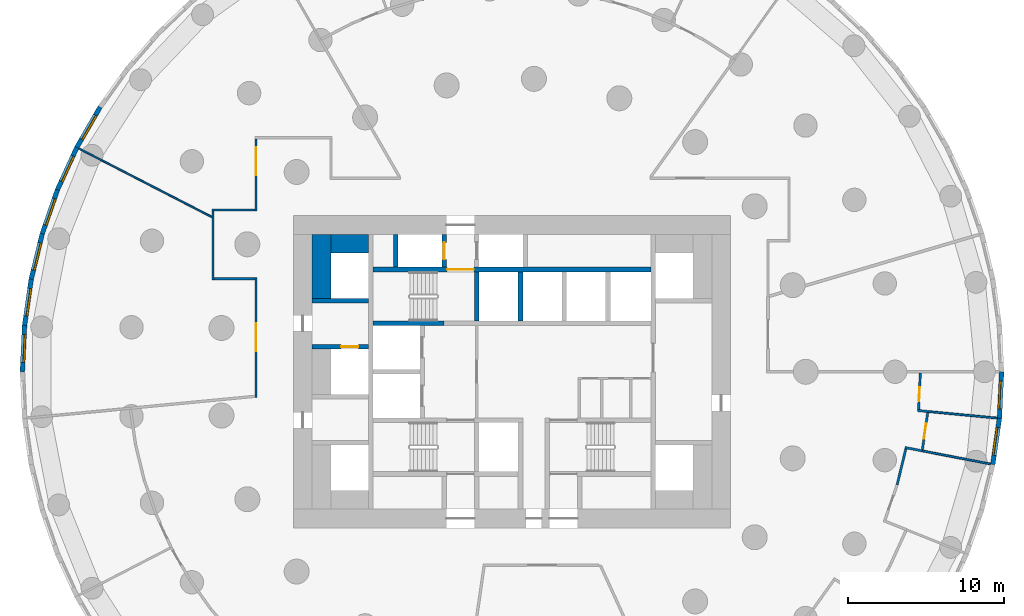
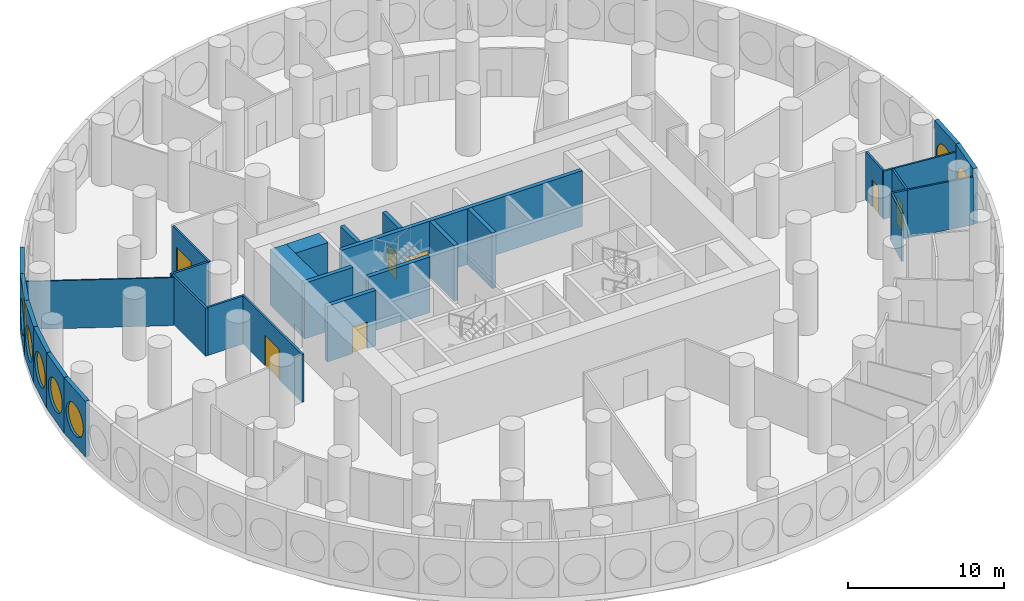
# One storey, part 6 of 11: 31 walls, 8 windows, 7 doors, 15 openings.
"""IFC4 building model written with IfcOpenShell, lengths in metres."""

from ifc_helpers import new_model, si_unit, direction, frame, frame_2d, origin, origin_2d, place, context, subcontext, project, spatial, rectangle, circle, extrude, material, layer, layer_set, type_object, element, fill, save


model = new_model("IFC4")

# Units and contexts
model_context = context("Model", 3, precision=1e-05, world=origin(), true_north=direction((0.0, 1.0)))
body_context = subcontext(model_context, "Body", "Model", "MODEL_VIEW")
ifc_project = project(units=[si_unit("LENGTHUNIT", "METRE"), si_unit("AREAUNIT", "SQUARE_METRE"), si_unit("VOLUMEUNIT", "CUBIC_METRE"), si_unit("PLANEANGLEUNIT", "RADIAN"), si_unit("MASSUNIT", "GRAM", prefix="KILO")], contexts=[model_context])

# Site, building, storey
site_placement = place(None, origin())
site = spatial("IfcSite", under=ifc_project, at=site_placement, CompositionType="ELEMENT")
building_placement = place(site_placement, origin())
building = spatial("IfcBuilding", under=site, at=building_placement, Name="Tracery Tower", CompositionType="ELEMENT")
storey_placement = place(building_placement, frame((0.0, 0.0, 18.60009765625)))
storey = spatial("IfcBuildingStorey", under=building, at=storey_placement, Name="L03", CompositionType="ELEMENT", Elevation=18.60009765625)

# Walls
ifc_material_1 = material(Name="Concrete C60/75", Category="concrete")
ifc_layer_1 = layer(ifc_material_1, 1.199951171875)
ifc_layer_set_1 = layer_set([ifc_layer_1], Name="Core strip wall 1200 C60")
wall_type_1 = type_object("IfcWallType", Name="Core strip wall 1200 C60", PredefinedType="SOLIDWALL", material=ifc_layer_set_1)
wall_1_placement = place(storey_placement, frame((-12.199951171875, 4.699951171875, 0.0), z_axis=(0.0, 0.0, 1.0), x_axis=(0.0, 1.0, 0.0)))
element("IfcWall", 1, at=wall_1_placement, inside=storey, type_object=wall_type_1, Name="L03 wing strip -1 4.55", PredefinedType="SOLIDWALL", context=body_context, shape_type="SweptSolid", body=[
    extrude(rectangle(XDim=4.10009765625, YDim=1.199951171875, at=frame_2d((2.050048828125, 0.0))), origin(), (0.0, 0.0, 1.0), 4.349853515625),
])
wall_2_placement = place(storey_placement, frame((-11.60009765625, 8.199951171875, 0.0), z_axis=(0.0, 0.0, 1.0), x_axis=(1.0, 0.0, 0.0)))
element("IfcWall", 2, at=wall_2_placement, inside=storey, type_object=wall_type_1, Name="L03 wing corner -1 +8.2", PredefinedType="SOLIDWALL", context=body_context, shape_type="SweptSolid", body=[
    extrude(rectangle(XDim=2.400146484375, YDim=1.199951171875, at=frame_2d((1.2001953125, 0.0))), origin(), (0.0, 0.0, 1.0), 4.349853515625),
])
ifc_material_2 = material(Name="Plasterboard on steel studs", Category="steel")
ifc_layer_2 = layer(ifc_material_2, 0.14990234375)
ifc_layer_set_2 = layer_set([ifc_layer_2], Name="Corridor partition 150")
wall_type_2 = type_object("IfcWallType", Name="Corridor partition 150", PredefinedType="PARTITIONING", material=ifc_layer_set_2)
wall_3_placement = place(storey_placement, frame((-19.083251953125, 5.966552734375, 0.0), z_axis=(0.0, 0.0, 1.0), x_axis=(1.0, 0.0, 0.0)))
element("IfcWall", 3, at=wall_3_placement, inside=storey, type_object=wall_type_2, Name="Corridor partition 150", PredefinedType="PARTITIONING", context=body_context, shape_type="SweptSolid", body=[
    extrude(rectangle(XDim=2.608154296875, YDim=0.14990234375, at=frame_2d((1.30419921875, 0.0))), origin(), (0.0, 0.0, 1.0), 3.75),
])
wall_4_placement = place(storey_placement, frame((-19.158203125, 10.29150390625, 0.0), z_axis=(0.0, 0.0, 1.0), x_axis=(0.0, -1.0, 0.0)))
element("IfcWall", 4, at=wall_4_placement, inside=storey, type_object=wall_type_2, Name="Corridor partition 150", PredefinedType="PARTITIONING", context=body_context, shape_type="SweptSolid", body=[
    extrude(rectangle(XDim=4.39990234375, YDim=0.14990234375, at=frame_2d((2.199951171875, 0.0))), origin(), (0.0, 0.0, 1.0), 3.75),
])

# Wall, opening, door
wall_5_placement = place(storey_placement, frame((-16.39990234375, -1.64111328125, 0.0), z_axis=(0.0, 0.0, 1.0), x_axis=(0.0, 1.0, 0.0)))
wall_5 = element("IfcWall", 5, at=wall_5_placement, inside=storey, type_object=wall_type_2, Name="Corridor partition 150", PredefinedType="PARTITIONING", context=body_context, shape_type="SweptSolid", body=[
    extrude(rectangle(XDim=7.6826171875, YDim=0.14990234375, at=frame_2d((3.84130859375, 0.0))), origin(), (0.0, 0.0, 1.0), 3.75),
])
opening_1_placement = place(wall_5_placement, frame((2.94140625, 0.0, 0.0)))
opening_1 = element("IfcOpeningElement", 6, at=opening_1_placement, cuts=wall_5, Name="Opening SB-L03-10", PredefinedType="OPENING", context=body_context, shape_type="SweptSolid", body=[
    extrude(rectangle(XDim=1.800048828125, YDim=2.39990234375, at=frame_2d((0.89990234375, 1.199951171875))), frame((0.0, 0.074951171875, 0.0), z_axis=(0.0, -1.0, 0.0), x_axis=(1.0, 0.0, 0.0)), (0.0, 0.0, 1.0), 0.14990234375),
])
ifc_material_3 = material(Name="Glazed aluminium door", Category="aluminium")
door_type_1 = type_object("IfcDoorType", Name="Hall double door 1800", OperationType="DOUBLE_DOOR_SINGLE_SWING", PredefinedType="DOOR", material=ifc_material_3)
door_1_placement = place(opening_1_placement, origin())
door_1 = element("IfcDoor", 7, at=door_1_placement, inside=storey, type_object=door_type_1, Name="Hall double door 1800", OperationType="DOUBLE_DOOR_SINGLE_SWING", OverallHeight=2.39990234375, OverallWidth=1.800048828125, PredefinedType="DOOR", context=body_context, shape_type="SweptSolid", body=[
    extrude(rectangle(XDim=1.800048828125, YDim=2.39990234375, at=frame_2d((0.89990234375, 1.199951171875))), frame((0.0, 0.02490234375, 0.0), z_axis=(0.0, -1.0, 0.0), x_axis=(1.0, 0.0, 0.0)), (0.0, 0.0, 1.0), 0.050048828125),
])
fill(opening_1, door_1)

# Wall
wall_6_placement = place(storey_placement, frame((-16.47509765625, 10.36669921875, 0.0), z_axis=(0.0, 0.0, 1.0), x_axis=(-1.0, 0.0, 0.0)))
element("IfcWall", 8, at=wall_6_placement, inside=storey, type_object=wall_type_2, Name="Corridor partition 150", PredefinedType="PARTITIONING", context=body_context, shape_type="SweptSolid", body=[
    extrude(rectangle(XDim=2.758056640625, YDim=0.14990234375, at=frame_2d((1.37890625, 0.0))), origin(), (0.0, 0.0, 1.0), 3.75),
])

# Wall, opening, door
wall_7_placement = place(storey_placement, frame((-16.39990234375, 10.29150390625, 0.0), z_axis=(0.0, 0.0, 1.0), x_axis=(0.0, 1.0, 0.0)))
wall_7 = element("IfcWall", 9, at=wall_7_placement, inside=storey, type_object=wall_type_2, Name="Corridor partition 150", PredefinedType="PARTITIONING", context=body_context, shape_type="SweptSolid", body=[
    extrude(rectangle(XDim=4.635986328125, YDim=0.14990234375, at=frame_2d((2.31787109375, 0.0))), origin(), (0.0, 0.0, 1.0), 3.75),
])
opening_2_placement = place(wall_7_placement, frame((2.29296875, 0.0, 0.0)))
opening_2 = element("IfcOpeningElement", 10, at=opening_2_placement, cuts=wall_7, Name="Opening SB-L03-09", PredefinedType="OPENING", context=body_context, shape_type="SweptSolid", body=[
    extrude(rectangle(XDim=1.800048828125, YDim=2.39990234375, at=frame_2d((0.89990234375, 1.199951171875))), frame((0.0, 0.074951171875, 0.0), z_axis=(0.0, -1.0, 0.0), x_axis=(1.0, 0.0, 0.0)), (0.0, 0.0, 1.0), 0.14990234375),
])
door_2_placement = place(opening_2_placement, origin())
door_2 = element("IfcDoor", 11, at=door_2_placement, inside=storey, type_object=door_type_1, Name="Hall double door 1800", OperationType="DOUBLE_DOOR_SINGLE_SWING", OverallHeight=2.39990234375, OverallWidth=1.800048828125, PredefinedType="DOOR", context=body_context, shape_type="SweptSolid", body=[
    extrude(rectangle(XDim=1.800048828125, YDim=2.39990234375, at=frame_2d((0.89990234375, 1.199951171875))), frame((0.0, 0.02490234375, 0.0), z_axis=(0.0, -1.0, 0.0), x_axis=(1.0, 0.0, 0.0)), (0.0, 0.0, 1.0), 0.050048828125),
])
fill(opening_2, door_2)

# Wall
wall_8_placement = place(storey_placement, frame((24.67626953125, -7.24560546875, 0.0), z_axis=(0.0, 0.0, 1.0), x_axis=(0.235773804782, 0.971807960957, 0.0)))
element("IfcWall", 12, at=wall_8_placement, inside=storey, type_object=wall_type_2, Name="Corridor partition 150", PredefinedType="PARTITIONING", context=body_context, shape_type="SweptSolid", body=[
    extrude(rectangle(XDim=2.372314453125, YDim=0.14990234375, at=frame_2d((1.18603515625, 0.0))), origin(), (0.0, 0.0, 1.0), 3.75),
])

# Wall, opening, door
wall_9_placement = place(storey_placement, frame((26.164306640625, -0.08935546875, 0.0), z_axis=(0.0, 0.0, 1.0), x_axis=(-0.047550188007, -0.99886885006, 0.0)))
wall_9 = element("IfcWall", 13, at=wall_9_placement, inside=storey, type_object=wall_type_2, Name="Corridor partition 150", PredefinedType="PARTITIONING", context=body_context, shape_type="SweptSolid", body=[
    extrude(rectangle(XDim=2.325927734375, YDim=0.14990234375, at=frame_2d((1.1630859375, 0.0))), origin(), (0.0, 0.0, 1.0), 3.75),
])
opening_3_placement = place(wall_9_placement, frame((0.90576171875, 0.0, 0.0)))
opening_3 = element("IfcOpeningElement", 14, at=opening_3_placement, cuts=wall_9, Name="Opening SB-L03-24", PredefinedType="OPENING", context=body_context, shape_type="SweptSolid", body=[
    extrude(rectangle(XDim=0.89990234375, YDim=2.10009765625, at=frame_2d((0.449951171875, 1.050048828125))), frame((0.0, 0.074951171875, 0.0), z_axis=(0.0, -1.0, 0.0), x_axis=(1.0, 0.0, 0.0)), (0.0, 0.0, 1.0), 0.14990234375),
])
ifc_material_4 = material(Name="Steel fire door", Category="steel")
door_type_2 = type_object("IfcDoorType", Name="Store door 900", OperationType="NOTDEFINED", PredefinedType="DOOR", material=ifc_material_4)
door_3_placement = place(opening_3_placement, origin())
door_3 = element("IfcDoor", 15, at=door_3_placement, inside=storey, type_object=door_type_2, Name="Store door 900", OperationType="SINGLE_SWING_RIGHT", OverallHeight=2.10009765625, OverallWidth=0.89990234375, PredefinedType="DOOR", context=body_context, shape_type="SweptSolid", body=[
    extrude(rectangle(XDim=0.89990234375, YDim=2.10009765625, at=frame_2d((0.449951171875, 1.050048828125))), frame((0.0, 0.02490234375, 0.0), z_axis=(0.0, -1.0, 0.0), x_axis=(1.0, 0.0, 0.0)), (0.0, 0.0, 1.0), 0.050048828125),
])
fill(opening_3, door_3)

# Wall
wall_10_placement = place(storey_placement, frame((26.285400390625, -5.066162109375, 0.0), z_axis=(0.0, 0.0, 1.0), x_axis=(-0.981924394187, 0.189273569469, 0.0)))
element("IfcWall", 16, at=wall_10_placement, inside=storey, type_object=wall_type_2, Name="Corridor partition 150", PredefinedType="PARTITIONING", context=body_context, shape_type="SweptSolid", body=[
    extrude(rectangle(XDim=1.1259765625, YDim=0.14990234375, at=frame_2d((0.56298828125, 0.0))), origin(), (0.0, 0.0, 1.0), 3.75),
])

# Wall, opening, door
wall_11_placement = place(storey_placement, frame((26.63720703125, -2.618896484375, 0.0), z_axis=(0.0, 0.0, 1.0), x_axis=(-0.142276797416, -0.989826910584, 0.0)))
wall_11 = element("IfcWall", 17, at=wall_11_placement, inside=storey, type_object=wall_type_2, Name="Corridor partition 150", PredefinedType="PARTITIONING", context=body_context, shape_type="SweptSolid", body=[
    extrude(rectangle(XDim=2.397216796875, YDim=0.14990234375, at=frame_2d((1.19873046875, 0.0))), origin(), (0.0, 0.0, 1.0), 3.75),
])
opening_4_placement = place(wall_11_placement, frame((0.698486328125, 0.0, 0.0)))
opening_4 = element("IfcOpeningElement", 18, at=opening_4_placement, cuts=wall_11, Name="Opening SB-L03-23", PredefinedType="OPENING", context=body_context, shape_type="SweptSolid", body=[
    extrude(rectangle(XDim=1.0, YDim=2.10009765625, at=frame_2d((0.5, 1.050048828125))), frame((0.0, 0.074951171875, 0.0), z_axis=(0.0, -1.0, 0.0), x_axis=(1.0, 0.0, 0.0)), (0.0, 0.0, 1.0), 0.14990234375),
])
ifc_material_5 = material(Name="Timber door leaf", Category="wood")
door_type_3 = type_object("IfcDoorType", Name="Accessible toilet door 1000", OperationType="NOTDEFINED", PredefinedType="DOOR", material=ifc_material_5)
door_4_placement = place(opening_4_placement, origin())
door_4 = element("IfcDoor", 19, at=door_4_placement, inside=storey, type_object=door_type_3, Name="Accessible toilet door 1000", OperationType="SINGLE_SWING_RIGHT", OverallHeight=2.10009765625, OverallWidth=1.0, PredefinedType="DOOR", context=body_context, shape_type="SweptSolid", body=[
    extrude(rectangle(XDim=1.0, YDim=2.10009765625, at=frame_2d((0.5, 1.050048828125))), frame((0.0, 0.02490234375, 0.0), z_axis=(0.0, -1.0, 0.0), x_axis=(1.0, 0.0, 0.0)), (0.0, 0.0, 1.0), 0.050048828125),
])
fill(opening_4, door_4)

# Wall
wall_12_placement = place(storey_placement, frame((26.64794921875, -2.544677734375, 0.0), z_axis=(0.0, 0.0, 1.0), x_axis=(-0.995474336282, 0.095030762411, 0.0)))
element("IfcWall", 20, at=wall_12_placement, inside=storey, type_object=wall_type_2, Name="Corridor partition 150", PredefinedType="PARTITIONING", context=body_context, shape_type="SweptSolid", body=[
    extrude(rectangle(XDim=0.67578125, YDim=0.14990234375, at=frame_2d((0.337890625, 0.0))), origin(), (0.0, 0.0, 1.0), 3.75),
])

# Wall, opening, window
ifc_material_6 = material(Name="Precast concrete C50/60", Category="concrete")
ifc_layer_3 = layer(ifc_material_6, 0.300048828125)
ifc_layer_set_3 = layer_set([ifc_layer_3], Name="Facade panel 3000 x 4350")
wall_type_3 = type_object("IfcWallType", Name="Facade panel 3000 x 4350", PredefinedType="SOLIDWALL", material=ifc_layer_set_3)
wall_13_placement = place(storey_placement, frame((-26.393798828125, 16.96240234375, 0.0), z_axis=(0.0, 0.0, 1.0), x_axis=(-0.500017373705, -0.866015372839, 0.0)))
wall_13 = element("IfcWall", 21, at=wall_13_placement, inside=storey, type_object=wall_type_3, Name="Facade panel 28 at L03", PredefinedType="SOLIDWALL", context=body_context, shape_type="SweptSolid", body=[
    extrude(rectangle(XDim=2.98583984375, YDim=0.300048828125, at=frame_2d((1.492919921875, 0.0))), origin(), (0.0, 0.0, 1.0), 4.349853515625),
])
opening_5_placement = place(wall_13_placement, frame((1.492919921875, 0.0, 2.0)))
opening_5 = element("IfcOpeningElement", 22, at=opening_5_placement, cuts=wall_13, Name="Opening WN2", PredefinedType="OPENING", context=body_context, shape_type="SweptSolid", body=[
    extrude(circle(Radius=1.199951171875, at=origin_2d()), frame((0.0, 0.159912109375, 0.0), z_axis=(0.0, -1.0, 0.0), x_axis=(1.0, 0.0, 0.0)), (0.0, 0.0, 1.0), 0.320068359375),
])
ifc_material_7 = material(Name="Aluminium frame with tinted double glazing", Category="aluminium")
window_type = type_object("IfcWindowType", Name="Round window 2400", PartitioningType="SINGLE_PANEL", PredefinedType="WINDOW", material=ifc_material_7)
window_1_placement = place(opening_5_placement, origin())
window_1 = element("IfcWindow", 23, at=window_1_placement, inside=storey, type_object=window_type, Name="Round window 28 at L03", OverallHeight=2.39990234375, OverallWidth=2.39990234375, PartitioningType="SINGLE_PANEL", PredefinedType="WINDOW", context=body_context, shape_type="SweptSolid", body=[
    extrude(circle(Radius=1.199951171875, at=origin_2d()), frame((0.0, 0.1201171875, 0.0), z_axis=(0.0, -1.0, 0.0), x_axis=(1.0, 0.0, 0.0)), (0.0, 0.0, 1.0), 0.10009765625),
])
fill(opening_5, window_1)

wall_14_placement = place(storey_placement, frame((-27.88671875, 14.376708984375, 0.0), z_axis=(0.0, 0.0, 1.0), x_axis=(-0.415373250944, -0.909651066289, 0.0)))
wall_14 = element("IfcWall", 24, at=wall_14_placement, inside=storey, type_object=wall_type_3, Name="Facade panel 29 at L03", PredefinedType="SOLIDWALL", context=body_context, shape_type="SweptSolid", body=[
    extrude(rectangle(XDim=2.98583984375, YDim=0.300048828125, at=frame_2d((1.492919921875, 0.0))), origin(), (0.0, 0.0, 1.0), 4.349853515625),
])
opening_6_placement = place(wall_14_placement, frame((1.492919921875, 0.0, 2.0)))
opening_6 = element("IfcOpeningElement", 25, at=opening_6_placement, cuts=wall_14, Name="Opening WN2", PredefinedType="OPENING", context=body_context, shape_type="SweptSolid", body=[
    extrude(circle(Radius=1.199951171875, at=origin_2d()), frame((0.0, 0.159912109375, 0.0), z_axis=(0.0, -1.0, 0.0), x_axis=(1.0, 0.0, 0.0)), (0.0, 0.0, 1.0), 0.320068359375),
])
window_2_placement = place(opening_6_placement, origin())
window_2 = element("IfcWindow", 26, at=window_2_placement, inside=storey, type_object=window_type, Name="Round window 29 at L03", OverallHeight=2.39990234375, OverallWidth=2.39990234375, PartitioningType="SINGLE_PANEL", PredefinedType="WINDOW", context=body_context, shape_type="SweptSolid", body=[
    extrude(circle(Radius=1.199951171875, at=origin_2d()), frame((0.0, 0.1201171875, 0.0), z_axis=(0.0, -1.0, 0.0), x_axis=(1.0, 0.0, 0.0)), (0.0, 0.0, 1.0), 0.10009765625),
])
fill(opening_6, window_2)

wall_15_placement = place(storey_placement, frame((-29.126953125, 11.66064453125, 0.0), z_axis=(0.0, 0.0, 1.0), x_axis=(-0.327074054052, -0.944998710669, 0.0)))
wall_15 = element("IfcWall", 27, at=wall_15_placement, inside=storey, type_object=wall_type_3, Name="Facade panel 30 at L03", PredefinedType="SOLIDWALL", context=body_context, shape_type="SweptSolid", body=[
    extrude(rectangle(XDim=2.98583984375, YDim=0.300048828125, at=frame_2d((1.492919921875, 0.0))), origin(), (0.0, 0.0, 1.0), 4.349853515625),
])
opening_7_placement = place(wall_15_placement, frame((1.492919921875, 0.0, 2.0)))
opening_7 = element("IfcOpeningElement", 28, at=opening_7_placement, cuts=wall_15, Name="Opening WN2", PredefinedType="OPENING", context=body_context, shape_type="SweptSolid", body=[
    extrude(circle(Radius=1.199951171875, at=origin_2d()), frame((0.0, 0.159912109375, 0.0), z_axis=(0.0, -1.0, 0.0), x_axis=(1.0, 0.0, 0.0)), (0.0, 0.0, 1.0), 0.320068359375),
])
window_3_placement = place(opening_7_placement, origin())
window_3 = element("IfcWindow", 29, at=window_3_placement, inside=storey, type_object=window_type, Name="Round window 30 at L03", OverallHeight=2.39990234375, OverallWidth=2.39990234375, PartitioningType="SINGLE_PANEL", PredefinedType="WINDOW", context=body_context, shape_type="SweptSolid", body=[
    extrude(circle(Radius=1.199951171875, at=origin_2d()), frame((0.0, 0.1201171875, 0.0), z_axis=(0.0, -1.0, 0.0), x_axis=(1.0, 0.0, 0.0)), (0.0, 0.0, 1.0), 0.10009765625),
])
fill(opening_7, window_3)

wall_16_placement = place(storey_placement, frame((-30.103515625, 8.839111328125, 0.0), z_axis=(0.0, 0.0, 1.0), x_axis=(-0.235756834479, -0.971812078026, 0.0)))
wall_16 = element("IfcWall", 30, at=wall_16_placement, inside=storey, type_object=wall_type_3, Name="Facade panel 31 at L03", PredefinedType="SOLIDWALL", context=body_context, shape_type="SweptSolid", body=[
    extrude(rectangle(XDim=2.985595703125, YDim=0.300048828125, at=frame_2d((1.49267578125, 0.0))), origin(), (0.0, 0.0, 1.0), 4.349853515625),
])
opening_8_placement = place(wall_16_placement, frame((1.492919921875, 0.0, 2.0)))
opening_8 = element("IfcOpeningElement", 31, at=opening_8_placement, cuts=wall_16, Name="Opening WN2", PredefinedType="OPENING", context=body_context, shape_type="SweptSolid", body=[
    extrude(circle(Radius=1.199951171875, at=origin_2d()), frame((0.0, 0.159912109375, 0.0), z_axis=(0.0, -1.0, 0.0), x_axis=(1.0, 0.0, 0.0)), (0.0, 0.0, 1.0), 0.320068359375),
])
window_4_placement = place(opening_8_placement, origin())
window_4 = element("IfcWindow", 32, at=window_4_placement, inside=storey, type_object=window_type, Name="Round window 31 at L03", OverallHeight=2.39990234375, OverallWidth=2.39990234375, PartitioningType="SINGLE_PANEL", PredefinedType="WINDOW", context=body_context, shape_type="SweptSolid", body=[
    extrude(circle(Radius=1.199951171875, at=origin_2d()), frame((0.0, 0.1201171875, 0.0), z_axis=(0.0, -1.0, 0.0), x_axis=(1.0, 0.0, 0.0)), (0.0, 0.0, 1.0), 0.10009765625),
])
fill(opening_8, window_4)

wall_17_placement = place(storey_placement, frame((-30.807373046875, 5.937744140625, 0.0), z_axis=(0.0, 0.0, 1.0), x_axis=(-0.142360001917, -0.989814947278, 0.0)))
wall_17 = element("IfcWall", 33, at=wall_17_placement, inside=storey, type_object=wall_type_3, Name="Facade panel 32 at L03", PredefinedType="SOLIDWALL", context=body_context, shape_type="SweptSolid", body=[
    extrude(rectangle(XDim=2.98583984375, YDim=0.300048828125, at=frame_2d((1.492919921875, 0.0))), origin(), (0.0, 0.0, 1.0), 4.349853515625),
])
opening_9_placement = place(wall_17_placement, frame((1.492919921875, 0.0, 2.0)))
opening_9 = element("IfcOpeningElement", 34, at=opening_9_placement, cuts=wall_17, Name="Opening WN2", PredefinedType="OPENING", context=body_context, shape_type="SweptSolid", body=[
    extrude(circle(Radius=1.199951171875, at=origin_2d()), frame((0.0, 0.159912109375, 0.0), z_axis=(0.0, -1.0, 0.0), x_axis=(1.0, 0.0, 0.0)), (0.0, 0.0, 1.0), 0.320068359375),
])
window_5_placement = place(opening_9_placement, origin())
window_5 = element("IfcWindow", 35, at=window_5_placement, inside=storey, type_object=window_type, Name="Round window 32 at L03", OverallHeight=2.39990234375, OverallWidth=2.39990234375, PartitioningType="SINGLE_PANEL", PredefinedType="WINDOW", context=body_context, shape_type="SweptSolid", body=[
    extrude(circle(Radius=1.199951171875, at=origin_2d()), frame((0.0, 0.1201171875, 0.0), z_axis=(0.0, -1.0, 0.0), x_axis=(1.0, 0.0, 0.0)), (0.0, 0.0, 1.0), 0.10009765625),
])
fill(opening_9, window_5)

wall_18_placement = place(storey_placement, frame((-31.232421875, 2.982421875, 0.0), z_axis=(0.0, 0.0, 1.0), x_axis=(-0.047588458579, -0.998867027492, 0.0)))
wall_18 = element("IfcWall", 36, at=wall_18_placement, inside=storey, type_object=wall_type_3, Name="Facade panel 33 at L03", PredefinedType="SOLIDWALL", context=body_context, shape_type="SweptSolid", body=[
    extrude(rectangle(XDim=2.98583984375, YDim=0.300048828125, at=frame_2d((1.492919921875, 0.0))), origin(), (0.0, 0.0, 1.0), 4.349853515625),
])
opening_10_placement = place(wall_18_placement, frame((1.492919921875, 0.0, 2.0)))
opening_10 = element("IfcOpeningElement", 37, at=opening_10_placement, cuts=wall_18, Name="Opening WN2", PredefinedType="OPENING", context=body_context, shape_type="SweptSolid", body=[
    extrude(circle(Radius=1.199951171875, at=origin_2d()), frame((0.0, 0.159912109375, 0.0), z_axis=(0.0, -1.0, 0.0), x_axis=(1.0, 0.0, 0.0)), (0.0, 0.0, 1.0), 0.320068359375),
])
window_6_placement = place(opening_10_placement, origin())
window_6 = element("IfcWindow", 38, at=window_6_placement, inside=storey, type_object=window_type, Name="Round window 33 at L03", OverallHeight=2.39990234375, OverallWidth=2.39990234375, PartitioningType="SINGLE_PANEL", PredefinedType="WINDOW", context=body_context, shape_type="SweptSolid", body=[
    extrude(circle(Radius=1.199951171875, at=origin_2d()), frame((0.0, 0.1201171875, 0.0), z_axis=(0.0, -1.0, 0.0), x_axis=(1.0, 0.0, 0.0)), (0.0, 0.0, 1.0), 0.10009765625),
])
fill(opening_10, window_6)

wall_19_placement = place(storey_placement, frame((30.807373046875, -5.937744140625, 0.0), z_axis=(0.0, 0.0, 1.0), x_axis=(0.142360001917, 0.989814947278, 0.0)))
wall_19 = element("IfcWall", 39, at=wall_19_placement, inside=storey, type_object=wall_type_3, Name="Facade panel 65 at L03", PredefinedType="SOLIDWALL", context=body_context, shape_type="SweptSolid", body=[
    extrude(rectangle(XDim=2.98583984375, YDim=0.300048828125, at=frame_2d((1.492919921875, 0.0))), origin(), (0.0, 0.0, 1.0), 4.349853515625),
])
opening_11_placement = place(wall_19_placement, frame((1.492919921875, 0.0, 2.0)))
opening_11 = element("IfcOpeningElement", 40, at=opening_11_placement, cuts=wall_19, Name="Opening WN2", PredefinedType="OPENING", context=body_context, shape_type="SweptSolid", body=[
    extrude(circle(Radius=1.199951171875, at=origin_2d()), frame((0.0, 0.159912109375, 0.0), z_axis=(0.0, -1.0, 0.0), x_axis=(1.0, 0.0, 0.0)), (0.0, 0.0, 1.0), 0.320068359375),
])
window_7_placement = place(opening_11_placement, origin())
window_7 = element("IfcWindow", 41, at=window_7_placement, inside=storey, type_object=window_type, Name="Round window 65 at L03", OverallHeight=2.39990234375, OverallWidth=2.39990234375, PartitioningType="SINGLE_PANEL", PredefinedType="WINDOW", context=body_context, shape_type="SweptSolid", body=[
    extrude(circle(Radius=1.199951171875, at=origin_2d()), frame((0.0, 0.1201171875, 0.0), z_axis=(0.0, -1.0, 0.0), x_axis=(1.0, 0.0, 0.0)), (0.0, 0.0, 1.0), 0.10009765625),
])
fill(opening_11, window_7)

wall_20_placement = place(storey_placement, frame((31.232421875, -2.982421875, 0.0), z_axis=(0.0, 0.0, 1.0), x_axis=(0.047588458579, 0.998867027492, 0.0)))
wall_20 = element("IfcWall", 42, at=wall_20_placement, inside=storey, type_object=wall_type_3, Name="Facade panel 66 at L03", PredefinedType="SOLIDWALL", context=body_context, shape_type="SweptSolid", body=[
    extrude(rectangle(XDim=2.98583984375, YDim=0.300048828125, at=frame_2d((1.492919921875, 0.0))), origin(), (0.0, 0.0, 1.0), 4.349853515625),
])
opening_12_placement = place(wall_20_placement, frame((1.492919921875, 0.0, 2.0)))
opening_12 = element("IfcOpeningElement", 43, at=opening_12_placement, cuts=wall_20, Name="Opening WN2", PredefinedType="OPENING", context=body_context, shape_type="SweptSolid", body=[
    extrude(circle(Radius=1.199951171875, at=origin_2d()), frame((0.0, 0.159912109375, 0.0), z_axis=(0.0, -1.0, 0.0), x_axis=(1.0, 0.0, 0.0)), (0.0, 0.0, 1.0), 0.320068359375),
])
window_8_placement = place(opening_12_placement, origin())
window_8 = element("IfcWindow", 44, at=window_8_placement, inside=storey, type_object=window_type, Name="Round window 66 at L03", OverallHeight=2.39990234375, OverallWidth=2.39990234375, PartitioningType="SINGLE_PANEL", PredefinedType="WINDOW", context=body_context, shape_type="SweptSolid", body=[
    extrude(circle(Radius=1.199951171875, at=origin_2d()), frame((0.0, 0.1201171875, 0.0), z_axis=(0.0, -1.0, 0.0), x_axis=(1.0, 0.0, 0.0)), (0.0, 0.0, 1.0), 0.10009765625),
])
fill(opening_12, window_8)

# Walls
ifc_material_8 = material(Name="Concrete C60/75", Category="concrete")
ifc_layer_4 = layer(ifc_material_8, 0.300048828125)
ifc_layer_set_4 = layer_set([ifc_layer_4], Name="Shaft wall 300 C60")
wall_type_4 = type_object("IfcWallType", Name="Shaft wall 300 C60", PredefinedType="SOLIDWALL", material=ifc_layer_set_4)
wall_21_placement = place(storey_placement, frame((0.550048828125, 3.25, 0.0), z_axis=(0.0, 0.0, 1.0), x_axis=(0.0, 1.0, 0.0)))
element("IfcWall", 45, at=wall_21_placement, inside=storey, type_object=wall_type_4, Name="L03 HR sep 1", PredefinedType="SOLIDWALL", context=body_context, shape_type="SweptSolid", body=[
    extrude(rectangle(XDim=3.14990234375, YDim=0.300048828125, at=frame_2d((1.574951171875, 0.0))), origin(), (0.0, 0.0, 1.0), 4.349853515625),
])
wall_22_placement = place(storey_placement, frame((-7.449951171875, 6.699951171875, 0.0), z_axis=(0.0, 0.0, 1.0), x_axis=(0.0, 1.0, 0.0)))
element("IfcWall", 46, at=wall_22_placement, inside=storey, type_object=wall_type_4, Name="L03 LR sep -7.45", PredefinedType="SOLIDWALL", context=body_context, shape_type="SweptSolid", body=[
    extrude(rectangle(XDim=2.10009765625, YDim=0.300048828125, at=frame_2d((1.050048828125, 0.0))), origin(), (0.0, 0.0, 1.0), 4.349853515625),
])

# Wall, opening, door
wall_23_placement = place(storey_placement, frame((-4.35009765625, 6.699951171875, 0.0), z_axis=(0.0, 0.0, 1.0), x_axis=(0.0, 1.0, 0.0)))
wall_23 = element("IfcWall", 47, at=wall_23_placement, inside=storey, type_object=wall_type_4, Name="L03 LR sep -4.35", PredefinedType="SOLIDWALL", context=body_context, shape_type="SweptSolid", body=[
    extrude(rectangle(XDim=2.10009765625, YDim=0.300048828125, at=frame_2d((1.050048828125, 0.0))), origin(), (0.0, 0.0, 1.0), 4.349853515625),
])
opening_13_placement = place(wall_23_placement, frame((0.5, 0.0, 0.0)))
opening_13 = element("IfcOpeningElement", 48, at=opening_13_placement, cuts=wall_23, Name="Opening KD50", PredefinedType="OPENING", context=body_context, shape_type="SweptSolid", body=[
    extrude(rectangle(XDim=1.10009765625, YDim=2.10009765625, at=frame_2d((0.550048828125, 1.050048828125))), frame((0.0, 0.14990234375, 0.0), z_axis=(0.0, -1.0, 0.0), x_axis=(1.0, 0.0, 0.0)), (0.0, 0.0, 1.0), 0.300048828125),
])
ifc_material_9 = material(Name="Steel fire door", Category="steel")
door_type_4 = type_object("IfcDoorType", Name="Landing door 1100", OperationType="NOTDEFINED", PredefinedType="DOOR", material=ifc_material_9)
door_5_placement = place(opening_13_placement, origin())
door_5 = element("IfcDoor", 49, at=door_5_placement, inside=storey, type_object=door_type_4, Name="Landing door LR3", OperationType="SLIDING_TO_RIGHT", OverallHeight=2.10009765625, OverallWidth=1.10009765625, PredefinedType="DOOR", context=body_context, shape_type="SweptSolid", body=[
    extrude(rectangle(XDim=1.10009765625, YDim=2.10009765625, at=frame_2d((0.550048828125, 1.050048828125))), frame((0.0, 0.02490234375, 0.0), z_axis=(0.0, -1.0, 0.0), x_axis=(1.0, 0.0, 0.0)), (0.0, 0.0, 1.0), 0.050048828125),
])
fill(opening_13, door_5)

# Wall
wall_24_placement = place(storey_placement, frame((-12.800048828125, 4.550048828125, 0.0), z_axis=(0.0, 0.0, 1.0), x_axis=(1.0, 0.0, 0.0)))
element("IfcWall", 50, at=wall_24_placement, inside=storey, type_object=wall_type_4, Name="L03 wing shaft wall -1 +4.55", PredefinedType="SOLIDWALL", context=body_context, shape_type="SweptSolid", body=[
    extrude(rectangle(XDim=3.60009765625, YDim=0.300048828125, at=frame_2d((1.800048828125, 0.0))), origin(), (0.0, 0.0, 1.0), 4.349853515625),
])

# Wall, opening, door
wall_25_placement = place(storey_placement, frame((-12.800048828125, 1.60009765625, 0.0), z_axis=(0.0, 0.0, 1.0), x_axis=(1.0, 0.0, 0.0)))
wall_25 = element("IfcWall", 51, at=wall_25_placement, inside=storey, type_object=wall_type_4, Name="L03 wing shaft wall -1 +1.60", PredefinedType="SOLIDWALL", context=body_context, shape_type="SweptSolid", body=[
    extrude(rectangle(XDim=3.60009765625, YDim=0.300048828125, at=frame_2d((1.800048828125, 0.0))), origin(), (0.0, 0.0, 1.0), 4.349853515625),
])
opening_14_placement = place(wall_25_placement, frame((1.85009765625, 0.0, 0.0)))
opening_14 = element("IfcOpeningElement", 52, at=opening_14_placement, cuts=wall_25, Name="Opening KD50", PredefinedType="OPENING", context=body_context, shape_type="SweptSolid", body=[
    extrude(rectangle(XDim=1.10009765625, YDim=2.10009765625, at=frame_2d((0.550048828125, 1.050048828125))), frame((0.0, 0.14990234375, 0.0), z_axis=(0.0, -1.0, 0.0), x_axis=(1.0, 0.0, 0.0)), (0.0, 0.0, 1.0), 0.300048828125),
])
door_6_placement = place(opening_14_placement, origin())
door_6 = element("IfcDoor", 53, at=door_6_placement, inside=storey, type_object=door_type_4, Name="Landing door LR1", OperationType="SLIDING_TO_RIGHT", OverallHeight=2.10009765625, OverallWidth=1.10009765625, PredefinedType="DOOR", context=body_context, shape_type="SweptSolid", body=[
    extrude(rectangle(XDim=1.10009765625, YDim=2.10009765625, at=frame_2d((0.550048828125, 1.050048828125))), frame((0.0, 0.02490234375, 0.0), z_axis=(0.0, -1.0, 0.0), x_axis=(1.0, 0.0, 0.0)), (0.0, 0.0, 1.0), 0.050048828125),
])
fill(opening_14, door_6)

# Walls
ifc_material_10 = material(Name="Concrete C60/75", Category="concrete")
ifc_layer_5 = layer(ifc_material_10, 0.300048828125)
ifc_layer_set_5 = layer_set([ifc_layer_5], Name="Stair wall 300 C60")
wall_type_5 = type_object("IfcWallType", Name="Stair wall 300 C60", PredefinedType="SOLIDWALL", material=ifc_layer_set_5)
wall_26_placement = place(storey_placement, frame((-8.89990234375, 3.10009765625, 0.0), z_axis=(0.0, 0.0, 1.0), x_axis=(1.0, 0.0, 0.0)))
element("IfcWall", 54, at=wall_26_placement, inside=storey, type_object=wall_type_5, Name="L03 row N W", PredefinedType="SOLIDWALL", context=body_context, shape_type="SweptSolid", body=[
    extrude(rectangle(XDim=4.5498046875, YDim=0.300048828125, at=frame_2d((2.27490234375, 0.0))), origin(), (0.0, 0.0, 1.0), 4.349853515625),
])
wall_27_placement = place(storey_placement, frame((-2.25, 3.25, 0.0), z_axis=(0.0, 0.0, 1.0), x_axis=(0.0, 1.0, 0.0)))
element("IfcWall", 55, at=wall_27_placement, inside=storey, type_object=wall_type_5, Name="L03 ST3 E", PredefinedType="SOLIDWALL", context=body_context, shape_type="SweptSolid", body=[
    extrude(rectangle(XDim=3.14990234375, YDim=0.300048828125, at=frame_2d((1.574951171875, 0.0))), origin(), (0.0, 0.0, 1.0), 4.349853515625),
])

# Wall, opening, door
wall_28_placement = place(storey_placement, frame((-8.89990234375, 6.550048828125, 0.0), z_axis=(0.0, 0.0, 1.0), x_axis=(1.0, 0.0, 0.0)))
wall_28 = element("IfcWall", 56, at=wall_28_placement, inside=storey, type_object=wall_type_5, Name="L03 F N", PredefinedType="SOLIDWALL", context=body_context, shape_type="SweptSolid", body=[
    extrude(rectangle(XDim=17.7998046875, YDim=0.300048828125, at=frame_2d((8.89990234375, 0.0))), origin(), (0.0, 0.0, 1.0), 4.349853515625),
])
opening_15_placement = place(wall_28_placement, frame((4.75, 0.0, 0.0)))
opening_15 = element("IfcOpeningElement", 57, at=opening_15_placement, cuts=wall_28, Name="Opening KD3", PredefinedType="OPENING", context=body_context, shape_type="SweptSolid", body=[
    extrude(rectangle(XDim=1.699951171875, YDim=2.10009765625, at=frame_2d((0.85009765625, 1.050048828125))), frame((0.0, 0.14990234375, 0.0), z_axis=(0.0, -1.0, 0.0), x_axis=(1.0, 0.0, 0.0)), (0.0, 0.0, 1.0), 0.300048828125),
])
ifc_material_11 = material(Name="Steel fire door", Category="steel")
door_type_5 = type_object("IfcDoorType", Name="Core stair door 1700 double", OperationType="NOTDEFINED", PredefinedType="DOOR", material=ifc_material_11)
door_7_placement = place(opening_15_placement, origin())
door_7 = element("IfcDoor", 58, at=door_7_placement, inside=storey, type_object=door_type_5, Name="Stair door ST3 N", OperationType="DOUBLE_DOOR_SINGLE_SWING", OverallHeight=2.10009765625, OverallWidth=1.699951171875, PredefinedType="DOOR", context=body_context, shape_type="SweptSolid", body=[
    extrude(rectangle(XDim=1.699951171875, YDim=2.10009765625, at=frame_2d((0.85009765625, 1.050048828125))), frame((0.0, 0.02490234375, 0.0), z_axis=(0.0, -1.0, 0.0), x_axis=(1.0, 0.0, 0.0)), (0.0, 0.0, 1.0), 0.050048828125),
])
fill(opening_15, door_7)

# Walls
ifc_material_12 = material(Name="Plasterboard on steel studs", Category="steel")
ifc_layer_6 = layer(ifc_material_12, 0.10009765625)
ifc_layer_set_6 = layer_set([ifc_layer_6], Name="Stud partition 100")
wall_type_6 = type_object("IfcWallType", Name="Stud partition 100", PredefinedType="PARTITIONING", material=ifc_layer_set_6)
wall_29_placement = place(storey_placement, frame((-27.753173828125, 14.307861328125, 0.0), z_axis=(0.0, 0.0, 1.0), x_axis=(0.888834817613, -0.458227745776, 0.0)))
element("IfcWall", 59, at=wall_29_placement, inside=storey, type_object=wall_type_6, Name="Stud partition 100", PredefinedType="PARTITIONING", context=body_context, shape_type="SweptSolid", body=[
    extrude(rectangle(XDim=9.57275390625, YDim=0.10009765625, at=frame_2d((4.786376953125, 0.0))), origin(), (0.0, 0.0, 1.0), 3.75),
])
ifc_material_13 = material(Name="Plasterboard on steel studs", Category="steel")
ifc_layer_7 = layer(ifc_material_13, 0.125)
ifc_layer_set_7 = layer_set([ifc_layer_7], Name="Wet area partition 125")
wall_type_7 = type_object("IfcWallType", Name="Wet area partition 125", PredefinedType="PARTITIONING", material=ifc_layer_set_7)
wall_30_placement = place(storey_placement, frame((30.659912109375, -5.9091796875, 0.0), z_axis=(0.0, 0.0, 1.0), x_axis=(-0.981932887056, 0.189229504353, 0.0)))
element("IfcWall", 60, at=wall_30_placement, inside=storey, type_object=wall_type_7, Name="Wet area partition 125", PredefinedType="PARTITIONING", context=body_context, shape_type="SweptSolid", body=[
    extrude(rectangle(XDim=4.455078125, YDim=0.125, at=frame_2d((2.2275390625, 0.0))), origin(), (0.0, 0.0, 1.0), 3.75),
])
wall_31_placement = place(storey_placement, frame((31.0830078125, -2.968017578125, 0.0), z_axis=(0.0, 0.0, 1.0), x_axis=(-0.995475254491, 0.095021143416, 0.0)))
element("IfcWall", 61, at=wall_31_placement, inside=storey, type_object=wall_type_7, Name="Wet area partition 125", PredefinedType="PARTITIONING", context=body_context, shape_type="SweptSolid", body=[
    extrude(rectangle(XDim=4.455322265625, YDim=0.125, at=frame_2d((2.2275390625, 0.0))), origin(), (0.0, 0.0, 1.0), 3.75),
])

save(model, "model.ifc")
